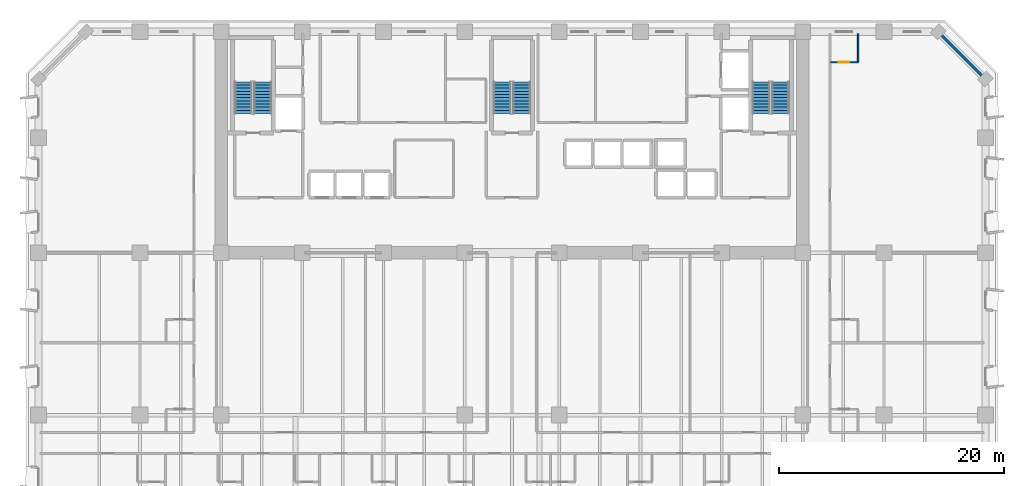
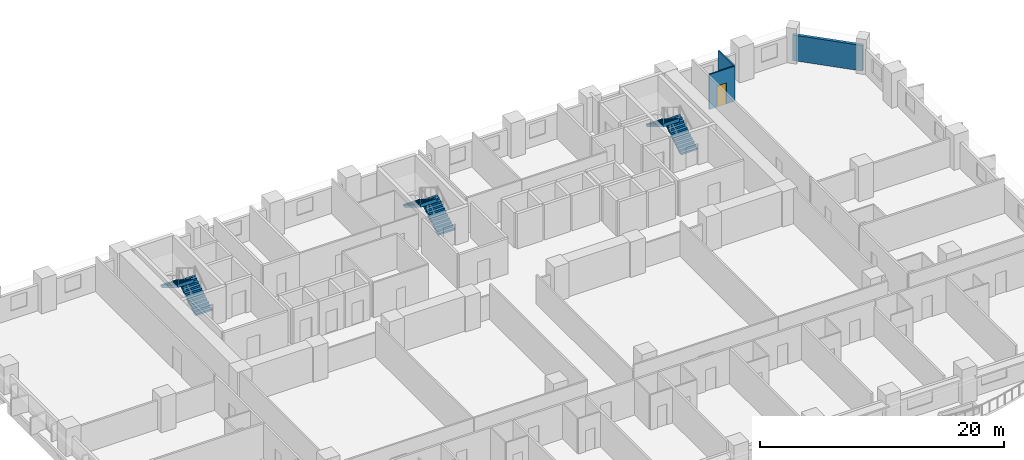
# One storey, part 11 of 15: 6 stair flights, 3 walls, 1 door, 1 opening, 3 elements without a shape of their own.
"""IFC4 building model written with IfcOpenShell, lengths in metres."""

import ifcopenshell
import ifcopenshell.guid

model = None  # the IFC model being written
_history = None  # IfcOwnerHistory: only IFC2X3 demands one
_inside = {}  # id of a spatial element -> (the spatial element, [elements in it])
_under = {}  # id of a project, library or spatial element -> (it, [spatial elements below it])
_declared = {}  # id of a project -> (the project, [libraries it declares])
_typed = {}  # id of a type object -> (the type object, [elements of that type])
_made_of = {}  # id of a material, layer set ... -> (it, [elements and type objects made of it])


def new_model(schema):
    """Start an empty IFC model of exactly this schema.

    Asked for "IFC4X3", IfcOpenShell would pick the latest addendum, in which some entities
    have other attributes; the version numbers below select the first issue.
    IFC2X3 requires an IfcOwnerHistory on every rooted entity: one is made here for all.
    """
    global model, _history
    if schema == "IFC4X3":
        model = ifcopenshell.file(schema_version=(4, 3, 0, 0))
    else:
        model = ifcopenshell.file(schema=schema)
    _inside.clear()
    _under.clear()
    _declared.clear()
    _typed.clear()
    _made_of.clear()
    _history = None
    if model.schema == "IFC2X3":
        org = make("IfcOrganization", Name="unknown")
        user = make(
            "IfcPersonAndOrganization",
            ThePerson=make("IfcPerson", FamilyName="unknown"),
            TheOrganization=org,
        )
        app = make(
            "IfcApplication",
            ApplicationDeveloper=org,
            Version="unknown",
            ApplicationFullName="unknown",
            ApplicationIdentifier="unknown",
        )
        _history = make(
            "IfcOwnerHistory",
            OwningUser=user,
            OwningApplication=app,
            ChangeAction="ADDED",
            CreationDate=0,
        )
    return model


def make(cls, **values):
    """One entity of the class cls with the attributes given. An attribute that is None is left unset."""
    return model.create_entity(
        cls, **{name: value for name, value in values.items() if value is not None}
    )


def rooted(cls, **values):
    """An entity with a GlobalId (a new one), such as an element, a storey or a relation."""
    return make(cls, GlobalId=ifcopenshell.guid.new(), OwnerHistory=_history, **values)


def si_unit(unit_type, name, prefix=None):
    """IfcSIUnit, for example si_unit("LENGTHUNIT", "METRE", prefix="MILLI")."""
    return make("IfcSIUnit", UnitType=unit_type, Prefix=prefix, Name=name)


def assignment(units):
    """IfcUnitAssignment: the units of a project."""
    return None if units is None else make("IfcUnitAssignment", Units=units)


def point(xyz):
    """IfcCartesianPoint."""
    return None if xyz is None else make("IfcCartesianPoint", Coordinates=xyz)


def direction(xyz):
    """IfcDirection."""
    return None if xyz is None else make("IfcDirection", DirectionRatios=xyz)


def frame(location, z_axis=None, x_axis=None):
    """IfcAxis2Placement3D, a coordinate frame: its origin and axes. An axis left out is left unset."""
    return make(
        "IfcAxis2Placement3D",
        Location=point(location),
        Axis=direction(z_axis),
        RefDirection=direction(x_axis),
    )


def frame_2d(location, x_axis=None):
    """IfcAxis2Placement2D, a coordinate frame in the plane: its origin and x axis."""
    return make(
        "IfcAxis2Placement2D", Location=point(location), RefDirection=direction(x_axis)
    )


def origin():
    """The frame at (0, 0, 0) with its axes left unset."""
    return frame((0.0, 0.0, 0.0))


def place(relative_to, where):
    """IfcLocalPlacement: puts the frame where relative to a parent placement (None: the world)."""
    return make(
        "IfcLocalPlacement", PlacementRelTo=relative_to, RelativePlacement=where
    )


def context(
    kind, dimensions, precision=None, world=None, true_north=None, identifier=None
):
    """IfcGeometricRepresentationContext, for example the 3D "Model" context."""
    return make(
        "IfcGeometricRepresentationContext",
        ContextIdentifier=identifier,
        ContextType=kind,
        CoordinateSpaceDimension=dimensions,
        Precision=precision,
        WorldCoordinateSystem=world,
        TrueNorth=true_north,
    )


def subcontext(parent, identifier, kind, view, scale=None):
    """IfcGeometricRepresentationSubContext, for example "Body" below "Model"."""
    return make(
        "IfcGeometricRepresentationSubContext",
        ContextIdentifier=identifier,
        ContextType=kind,
        ParentContext=parent,
        TargetScale=scale,
        TargetView=view,
    )


def project(units=None, contexts=None):
    """IfcProject with its units and contexts."""
    return rooted(
        "IfcProject",
        Name="project",
        RepresentationContexts=contexts,
        UnitsInContext=assignment(units),
    )


def spatial(cls, under=None, at=None, **own):
    """A site, building, storey or space (cls), placed at a placement, below another one or the project."""
    s = rooted(cls, ObjectPlacement=at, **own)
    if under is not None:
        _under.setdefault(under.id(), (under, []))[1].append(s)
    return s


def polyline(points):
    """IfcPolyline through the points."""
    return make("IfcPolyline", Points=[point(p) for p in points])


def profile(cls, at=None, kind="AREA", **sizes):
    """A parametric profile (cls). Its sizes go by their IFC names, for example OverallWidth=200.0."""
    return make(cls, ProfileType=kind, Position=at, **sizes)


def rectangle(**sizes):
    """IfcRectangleProfileDef."""
    return profile("IfcRectangleProfileDef", **sizes)


def outline(outer, holes=None, kind="AREA"):
    """IfcArbitraryClosedProfileDef: a profile drawn as a closed curve; with holes, ...WithVoids."""
    if holes is None:
        return make("IfcArbitraryClosedProfileDef", ProfileType=kind, OuterCurve=outer)
    return make(
        "IfcArbitraryProfileDefWithVoids",
        ProfileType=kind,
        OuterCurve=outer,
        InnerCurves=holes,
    )


def extrude(swept, where, along, depth):
    """IfcExtrudedAreaSolid: the profile swept, set in the frame where, extruded along a direction by depth."""
    return make(
        "IfcExtrudedAreaSolid",
        SweptArea=swept,
        Position=where,
        ExtrudedDirection=direction(along),
        Depth=depth,
    )


def shape(context_of_items, identifier, shape_type, items):
    """IfcShapeRepresentation: the items that make up one representation, for example the "Body"."""
    return make(
        "IfcShapeRepresentation",
        ContextOfItems=context_of_items,
        RepresentationIdentifier=identifier,
        RepresentationType=shape_type,
        Items=items,
    )


def material(Name=None, Category=None):
    """IfcMaterial."""
    return make("IfcMaterial", Name=Name, Category=Category)


def layer(
    of_material, thickness, ventilated=None, Name=None, Category=None, Priority=None
):
    """IfcMaterialLayer: one layer of a wall or slab, of a material (None: an air gap)."""
    return make(
        "IfcMaterialLayer",
        Material=of_material,
        LayerThickness=thickness,
        IsVentilated=ventilated,
        Name=Name,
        Category=Category,
        Priority=Priority,
    )


def layer_set(layers, Name=None):
    """IfcMaterialLayerSet."""
    return make("IfcMaterialLayerSet", MaterialLayers=layers, LayerSetName=Name)


def made_of(thing, what):
    """Note that an element or type object is made of a material, layer set ...; save() writes the relation."""
    if what is not None:
        _made_of.setdefault(what.id(), (what, []))[1].append(thing)
    return thing


def type_object(cls, material=None, **own):
    """A type object (cls), such as IfcWallType, which elements share."""
    return made_of(rooted(cls, **own), material)


def element(
    cls,
    number,
    at=None,
    inside=None,
    cuts=None,
    type_object=None,
    material=None,
    context=None,
    identifier="Body",
    shape_type=None,
    held_by="IfcProductDefinitionShape",
    body=None,
    shapes=None,
    **own,
):
    """One element of the class cls, such as IfcWall. Its Tag is "e" and its number.

    at: its placement. inside: the storey or other place that contains it. cuts: it is an
    opening in that element (IfcRelVoidsElement). A single representation is given by context,
    identifier, shape_type and body (its items); several are given by shapes. held_by: the class
    of the entity that holds the representations. save() writes the other relations.
    """
    e = rooted(cls, Tag="e%d" % number, ObjectPlacement=at, **own)
    if body is not None:
        shapes = [shape(context, identifier, shape_type, body)]
    if shapes is not None:
        e.Representation = make(held_by, Representations=shapes)
    if inside is not None:
        _inside.setdefault(inside.id(), (inside, []))[1].append(e)
    if cuts is not None:
        rooted(
            "IfcRelVoidsElement", RelatingBuildingElement=cuts, RelatedOpeningElement=e
        )
    if type_object is not None:
        _typed.setdefault(type_object.id(), (type_object, []))[1].append(e)
    return made_of(e, material)


def fill(opening, filler):
    """IfcRelFillsElement: the door or window that sits in an opening."""
    return rooted(
        "IfcRelFillsElement",
        RelatingOpeningElement=opening,
        RelatedBuildingElement=filler,
    )


def aggregate(whole, parts):
    """IfcRelAggregates: a whole, such as a stair, and the parts it consists of."""
    return rooted("IfcRelAggregates", RelatingObject=whole, RelatedObjects=parts)


def save(model, path):
    """Write the relations noted so far, then the file.

    IfcRelAggregates (storeys below a building ...), IfcRelContainedInSpatialStructure (elements
    in a storey), IfcRelDefinesByType, IfcRelAssociatesMaterial and IfcRelDeclares: one each for
    every whole, place, type object, material and project.
    """
    for whole, parts in _under.values():
        aggregate(whole, parts)
    for where, things in _inside.values():
        rooted(
            "IfcRelContainedInSpatialStructure",
            RelatedElements=things,
            RelatingStructure=where,
        )
    for kind, things in _typed.values():
        rooted("IfcRelDefinesByType", RelatedObjects=things, RelatingType=kind)
    for what, things in _made_of.values():
        rooted("IfcRelAssociatesMaterial", RelatedObjects=things, RelatingMaterial=what)
    for by, libraries in _declared.values():
        rooted("IfcRelDeclares", RelatingContext=by, RelatedDefinitions=libraries)
    model.write(path)


model = new_model("IFC4")

# Units and contexts
model_context = context("Model", 3, precision=1e-05, world=origin(), true_north=direction((0.0, 1.0)))
body_context = subcontext(model_context, "Body", "Model", "MODEL_VIEW")
ifc_project = project(units=[si_unit("LENGTHUNIT", "METRE"), si_unit("AREAUNIT", "SQUARE_METRE"), si_unit("VOLUMEUNIT", "CUBIC_METRE"), si_unit("PLANEANGLEUNIT", "RADIAN"), si_unit("MASSUNIT", "GRAM", prefix="KILO")], contexts=[model_context])

# Site, building, storey
site_placement = place(None, origin())
site = spatial("IfcSite", under=ifc_project, at=site_placement, CompositionType="ELEMENT")
building_placement = place(site_placement, origin())
building = spatial("IfcBuilding", under=site, at=building_placement, Name="Kaelvorn Grand Hotel", CompositionType="ELEMENT")
storey_placement = place(building_placement, frame((0.0, 0.0, 53.89990234375)))
storey = spatial("IfcBuildingStorey", under=building, at=storey_placement, Name="L11", CompositionType="ELEMENT", Elevation=53.89990234375)

# Wall
ifc_material_1 = material(Name="Concrete C40/50", Category="concrete")
ifc_layer_1 = layer(ifc_material_1, 0.260009765625)
ifc_layer_set_1 = layer_set([ifc_layer_1], Name="Concrete C40/50")
wall_type_1 = type_object("IfcWallType", Name="WL-EXT-260-C40", PredefinedType="SOLIDWALL", material=ifc_layer_set_1)
wall_1_placement = place(storey_placement, frame((84.0, 44.800048828125, 0.0), z_axis=(0.0, 0.0, 1.0), x_axis=(-0.707106781187, 0.707106781187, 0.0)))
element("IfcWall", 1, at=wall_1_placement, inside=storey, type_object=wall_type_1, Name="L11 Exterior Architectural Concrete Wall 04", PredefinedType="SOLIDWALL", context=body_context, shape_type="SweptSolid", body=[
    extrude(rectangle(XDim=5.939697265625, YDim=0.260009765625, at=frame_2d((2.9697265625, 0.0))), origin(), (0.0, 0.0, 1.0), 2.56005859375),
])

# Wall, opening, door
ifc_material_2 = material(Name="Moisture-Resistant Tile & Stud Board")
ifc_layer_2 = layer(ifc_material_2, 0.125)
ifc_layer_set_2 = layer_set([ifc_layer_2], Name="Moisture-Resistant Tile & Stud Board")
wall_type_2 = type_object("IfcWallType", Name="WL-PART-125-WET", PredefinedType="PARTITIONING", material=ifc_layer_set_2)
wall_2_placement = place(storey_placement, frame((70.294921875, 46.300048828125, 0.0), z_axis=(0.0, 0.0, 1.0), x_axis=(1.0, 0.0, 0.0)))
wall_2 = element("IfcWall", 2, at=wall_2_placement, inside=storey, type_object=wall_type_2, Name="L11 En-suite Bathroom L11-16 S Partition", PredefinedType="PARTITIONING", context=body_context, shape_type="SweptSolid", body=[
    extrude(rectangle(XDim=2.405029296875, YDim=0.125, at=frame_2d((1.20263671875, 0.0))), origin(), (0.0, 0.0, 1.0), 3.510009765625),
])
opening_placement = place(wall_2_placement, frame((0.705078125, 0.0, 0.0)))
opening = element("IfcOpeningElement", 3, at=opening_placement, cuts=wall_2, Name="Opening DI4", PredefinedType="OPENING", context=body_context, shape_type="SweptSolid", body=[
    extrude(rectangle(XDim=0.89990234375, YDim=2.10009765625, at=frame_2d((0.449951171875, 1.050048828125))), frame((0.0, 0.072509765625, 0.0), z_axis=(0.0, -1.0, 0.0), x_axis=(1.0, 0.0, 0.0)), (0.0, 0.0, 1.0), 0.14501953125),
])
ifc_material_3 = material(Name="Timber Veneer Leaf", Category="wood")
door_type = type_object("IfcDoorType", Name="DR-INT-BATH-900x2100", OperationType="NOTDEFINED", PredefinedType="DOOR", material=ifc_material_3)
door_placement = place(opening_placement, origin())
door = element("IfcDoor", 4, at=door_placement, inside=storey, type_object=door_type, Name="L11 En-suite Bathroom L11-16 Door", OperationType="SINGLE_SWING_RIGHT", OverallHeight=2.10009765625, OverallWidth=0.89990234375, PredefinedType="DOOR", context=body_context, shape_type="SweptSolid", body=[
    extrude(rectangle(XDim=0.89990234375, YDim=2.10009765625, at=frame_2d((0.449951171875, 1.050048828125))), frame((0.0, 0.02490234375, 0.0), z_axis=(0.0, -1.0, 0.0), x_axis=(1.0, 0.0, 0.0)), (0.0, 0.0, 1.0), 0.050048828125),
])
fill(opening, door)

# Wall
wall_3_placement = place(storey_placement, frame((72.699951171875, 46.367431640625, 0.0), z_axis=(0.0, 0.0, 1.0), x_axis=(0.0, 1.0, 0.0)))
element("IfcWall", 5, at=wall_3_placement, inside=storey, type_object=wall_type_2, Name="L11 En-suite Bathroom L11-16 E Partition", PredefinedType="PARTITIONING", context=body_context, shape_type="SweptSolid", body=[
    extrude(rectangle(XDim=2.482666015625, YDim=0.125, at=frame_2d((1.2412109375, 0.0))), origin(), (0.0, 0.0, 1.0), 3.510009765625),
])

# Stair, stair flights
stair_type = type_object("IfcStairType", Name="STR-DOG-1560-R06", PredefinedType="HALF_TURN_STAIR", material=ifc_material_1)
stair_1_placement = place(storey_placement, origin())
stair_1 = element("IfcStair", 6, at=stair_1_placement, inside=storey, type_object=stair_type, Name="L11 West Core Exit Stair ST1", PredefinedType="HALF_TURN_STAIR")
stair_flight_type = type_object("IfcStairFlightType", Name="FLG-DOG-1560-R06", PredefinedType="STRAIGHT", material=ifc_material_1)
stair_flight_1_placement = place(storey_placement, frame((19.89990234375, 41.760009765625, 0.0), z_axis=(0.0, 0.0, 1.0), x_axis=(0.0, 1.0, 0.0)))
stair_flight_1 = element("IfcStairFlight", 7, at=stair_flight_1_placement, type_object=stair_flight_type, Name="ST1 flight 1", NumberOfRisers=11, NumberOfTreads=10, PredefinedType="STRAIGHT", RiserHeight=0.170454545, TreadLength=0.28, context=body_context, shape_type="SweptSolid", body=[
    extrude(outline(polyline([(-0.0048828125, 0.0), (-0.0048828125, 0.0400390625), (0.0, 0.17041015625), (0.280029296875, 0.17041015625), (0.280029296875, 0.3408203125), (0.56005859375, 0.3408203125), (0.56005859375, 0.511474609375), (0.840087890625, 0.511474609375), (0.840087890625, 0.681884765625), (1.1201171875, 0.681884765625), (1.1201171875, 0.852294921875), (1.39990234375, 0.852294921875), (1.39990234375, 1.022705078125), (1.679931640625, 1.022705078125), (1.679931640625, 1.193115234375), (1.9599609375, 1.193115234375), (1.9599609375, 1.363525390625), (2.239990234375, 1.363525390625), (2.239990234375, 1.5341796875), (2.52001953125, 1.5341796875), (2.52001953125, 1.70458984375), (2.800048828125, 1.70458984375), (2.800048828125, 1.875), (2.804931640625, 1.875), (2.804931640625, 1.529052734375), (0.288330078125, 0.0), (-0.0048828125, 0.0)])), frame((0.0, 0.780029296875, 0.0), z_axis=(0.0, -1.0, 0.0), x_axis=(1.0, 0.0, 0.0)), (0.0, 0.0, 1.0), 1.56005859375),
])
stair_flight_2_placement = place(storey_placement, frame((18.179931640625, 44.56005859375, 1.875), z_axis=(0.0, 0.0, 1.0), x_axis=(0.0, -1.0, 0.0)))
stair_flight_2 = element("IfcStairFlight", 8, at=stair_flight_2_placement, type_object=stair_flight_type, Name="ST1 flight 2", NumberOfRisers=11, NumberOfTreads=10, PredefinedType="STRAIGHT", RiserHeight=0.170454545, TreadLength=0.28, context=body_context, shape_type="SweptSolid", body=[
    extrude(outline(polyline([(-0.0048828125, 0.0), (-0.0048828125, 0.0400390625), (0.0, 0.17041015625), (0.280029296875, 0.17041015625), (0.280029296875, 0.3408203125), (0.56005859375, 0.3408203125), (0.56005859375, 0.511474609375), (0.840087890625, 0.511474609375), (0.840087890625, 0.681884765625), (1.1201171875, 0.681884765625), (1.1201171875, 0.852294921875), (1.39990234375, 0.852294921875), (1.39990234375, 1.022705078125), (1.679931640625, 1.022705078125), (1.679931640625, 1.193115234375), (1.9599609375, 1.193115234375), (1.9599609375, 1.363525390625), (2.239990234375, 1.363525390625), (2.239990234375, 1.5341796875), (2.52001953125, 1.5341796875), (2.52001953125, 1.70458984375), (2.800048828125, 1.70458984375), (2.800048828125, 1.875), (2.804931640625, 1.875), (2.804931640625, 1.529052734375), (0.288330078125, 0.0), (-0.0048828125, 0.0)])), frame((0.0, 0.780029296875, 0.0), z_axis=(0.0, -1.0, 0.0), x_axis=(1.0, 0.0, 0.0)), (0.0, 0.0, 1.0), 1.56005859375),
])
aggregate(stair_1, [stair_flight_1, stair_flight_2])

stair_2_placement = place(storey_placement, origin())
stair_2 = element("IfcStair", 9, at=stair_2_placement, inside=storey, type_object=stair_type, Name="L11 Central Core Exit Stair ST2", PredefinedType="HALF_TURN_STAIR")
stair_flight_3_placement = place(storey_placement, frame((42.860107421875, 41.760009765625, 0.0), z_axis=(0.0, 0.0, 1.0), x_axis=(0.0, 1.0, 0.0)))
stair_flight_3 = element("IfcStairFlight", 10, at=stair_flight_3_placement, type_object=stair_flight_type, Name="ST2 flight 1", NumberOfRisers=11, NumberOfTreads=10, PredefinedType="STRAIGHT", RiserHeight=0.170454545, TreadLength=0.28, context=body_context, shape_type="SweptSolid", body=[
    extrude(outline(polyline([(-0.0048828125, 0.0), (-0.0048828125, 0.0400390625), (0.0, 0.17041015625), (0.280029296875, 0.17041015625), (0.280029296875, 0.3408203125), (0.56005859375, 0.3408203125), (0.56005859375, 0.511474609375), (0.840087890625, 0.511474609375), (0.840087890625, 0.681884765625), (1.1201171875, 0.681884765625), (1.1201171875, 0.852294921875), (1.39990234375, 0.852294921875), (1.39990234375, 1.022705078125), (1.679931640625, 1.022705078125), (1.679931640625, 1.193115234375), (1.9599609375, 1.193115234375), (1.9599609375, 1.363525390625), (2.239990234375, 1.363525390625), (2.239990234375, 1.5341796875), (2.52001953125, 1.5341796875), (2.52001953125, 1.70458984375), (2.800048828125, 1.70458984375), (2.800048828125, 1.875), (2.804931640625, 1.875), (2.804931640625, 1.529052734375), (0.288330078125, 0.0), (-0.0048828125, 0.0)])), frame((0.0, 0.780029296875, 0.0), z_axis=(0.0, -1.0, 0.0), x_axis=(1.0, 0.0, 0.0)), (0.0, 0.0, 1.0), 1.56005859375),
])
stair_flight_4_placement = place(storey_placement, frame((41.139892578125, 44.56005859375, 1.875), z_axis=(0.0, 0.0, 1.0), x_axis=(0.0, -1.0, 0.0)))
stair_flight_4 = element("IfcStairFlight", 11, at=stair_flight_4_placement, type_object=stair_flight_type, Name="ST2 flight 2", NumberOfRisers=11, NumberOfTreads=10, PredefinedType="STRAIGHT", RiserHeight=0.170454545, TreadLength=0.28, context=body_context, shape_type="SweptSolid", body=[
    extrude(outline(polyline([(-0.0048828125, 0.0), (-0.0048828125, 0.0400390625), (0.0, 0.17041015625), (0.280029296875, 0.17041015625), (0.280029296875, 0.3408203125), (0.56005859375, 0.3408203125), (0.56005859375, 0.511474609375), (0.840087890625, 0.511474609375), (0.840087890625, 0.681884765625), (1.1201171875, 0.681884765625), (1.1201171875, 0.852294921875), (1.39990234375, 0.852294921875), (1.39990234375, 1.022705078125), (1.679931640625, 1.022705078125), (1.679931640625, 1.193115234375), (1.9599609375, 1.193115234375), (1.9599609375, 1.363525390625), (2.239990234375, 1.363525390625), (2.239990234375, 1.5341796875), (2.52001953125, 1.5341796875), (2.52001953125, 1.70458984375), (2.800048828125, 1.70458984375), (2.800048828125, 1.875), (2.804931640625, 1.875), (2.804931640625, 1.529052734375), (0.288330078125, 0.0), (-0.0048828125, 0.0)])), frame((0.0, 0.780029296875, 0.0), z_axis=(0.0, -1.0, 0.0), x_axis=(1.0, 0.0, 0.0)), (0.0, 0.0, 1.0), 1.56005859375),
])
aggregate(stair_2, [stair_flight_3, stair_flight_4])

stair_3_placement = place(storey_placement, origin())
stair_3 = element("IfcStair", 12, at=stair_3_placement, inside=storey, type_object=stair_type, Name="L11 East Core Exit Stair ST3", PredefinedType="HALF_TURN_STAIR")
stair_flight_5_placement = place(storey_placement, frame((65.820068359375, 41.760009765625, 0.0), z_axis=(0.0, 0.0, 1.0), x_axis=(0.0, 1.0, 0.0)))
stair_flight_5 = element("IfcStairFlight", 13, at=stair_flight_5_placement, type_object=stair_flight_type, Name="ST3 flight 1", NumberOfRisers=11, NumberOfTreads=10, PredefinedType="STRAIGHT", RiserHeight=0.170454545, TreadLength=0.28, context=body_context, shape_type="SweptSolid", body=[
    extrude(outline(polyline([(-0.0048828125, 0.0), (-0.0048828125, 0.0400390625), (0.0, 0.17041015625), (0.280029296875, 0.17041015625), (0.280029296875, 0.3408203125), (0.56005859375, 0.3408203125), (0.56005859375, 0.511474609375), (0.840087890625, 0.511474609375), (0.840087890625, 0.681884765625), (1.1201171875, 0.681884765625), (1.1201171875, 0.852294921875), (1.39990234375, 0.852294921875), (1.39990234375, 1.022705078125), (1.679931640625, 1.022705078125), (1.679931640625, 1.193115234375), (1.9599609375, 1.193115234375), (1.9599609375, 1.363525390625), (2.239990234375, 1.363525390625), (2.239990234375, 1.5341796875), (2.52001953125, 1.5341796875), (2.52001953125, 1.70458984375), (2.800048828125, 1.70458984375), (2.800048828125, 1.875), (2.804931640625, 1.875), (2.804931640625, 1.529052734375), (0.288330078125, 0.0), (-0.0048828125, 0.0)])), frame((0.0, 0.780029296875, 0.0), z_axis=(0.0, -1.0, 0.0), x_axis=(1.0, 0.0, 0.0)), (0.0, 0.0, 1.0), 1.56005859375),
])
stair_flight_6_placement = place(storey_placement, frame((64.10009765625, 44.56005859375, 1.875), z_axis=(0.0, 0.0, 1.0), x_axis=(0.0, -1.0, 0.0)))
stair_flight_6 = element("IfcStairFlight", 14, at=stair_flight_6_placement, type_object=stair_flight_type, Name="ST3 flight 2", NumberOfRisers=11, NumberOfTreads=10, PredefinedType="STRAIGHT", RiserHeight=0.170454545, TreadLength=0.28, context=body_context, shape_type="SweptSolid", body=[
    extrude(outline(polyline([(-0.0048828125, 0.0), (-0.0048828125, 0.0400390625), (0.0, 0.17041015625), (0.280029296875, 0.17041015625), (0.280029296875, 0.3408203125), (0.56005859375, 0.3408203125), (0.56005859375, 0.511474609375), (0.840087890625, 0.511474609375), (0.840087890625, 0.681884765625), (1.1201171875, 0.681884765625), (1.1201171875, 0.852294921875), (1.39990234375, 0.852294921875), (1.39990234375, 1.022705078125), (1.679931640625, 1.022705078125), (1.679931640625, 1.193115234375), (1.9599609375, 1.193115234375), (1.9599609375, 1.363525390625), (2.239990234375, 1.363525390625), (2.239990234375, 1.5341796875), (2.52001953125, 1.5341796875), (2.52001953125, 1.70458984375), (2.800048828125, 1.70458984375), (2.800048828125, 1.875), (2.804931640625, 1.875), (2.804931640625, 1.529052734375), (0.288330078125, 0.0), (-0.0048828125, 0.0)])), frame((0.0, 0.780029296875, 0.0), z_axis=(0.0, -1.0, 0.0), x_axis=(1.0, 0.0, 0.0)), (0.0, 0.0, 1.0), 1.56005859375),
])
aggregate(stair_3, [stair_flight_5, stair_flight_6])

save(model, "model.ifc")
